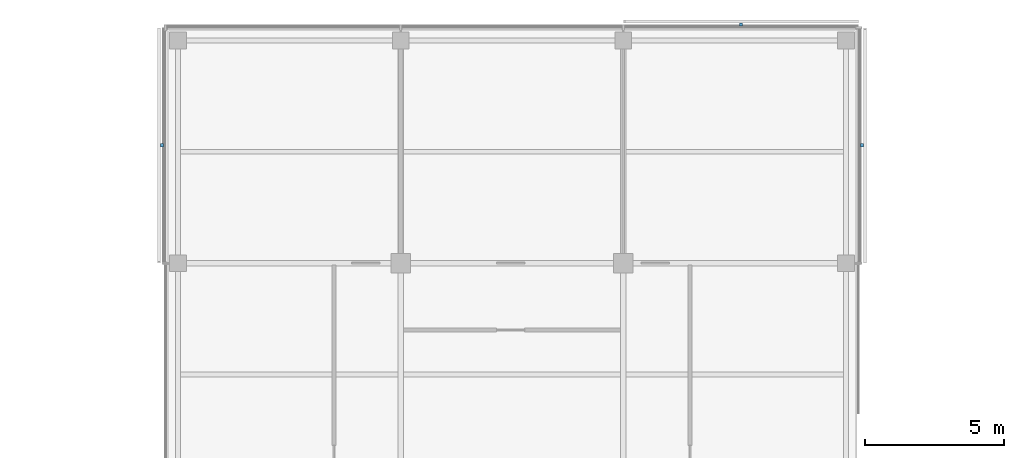
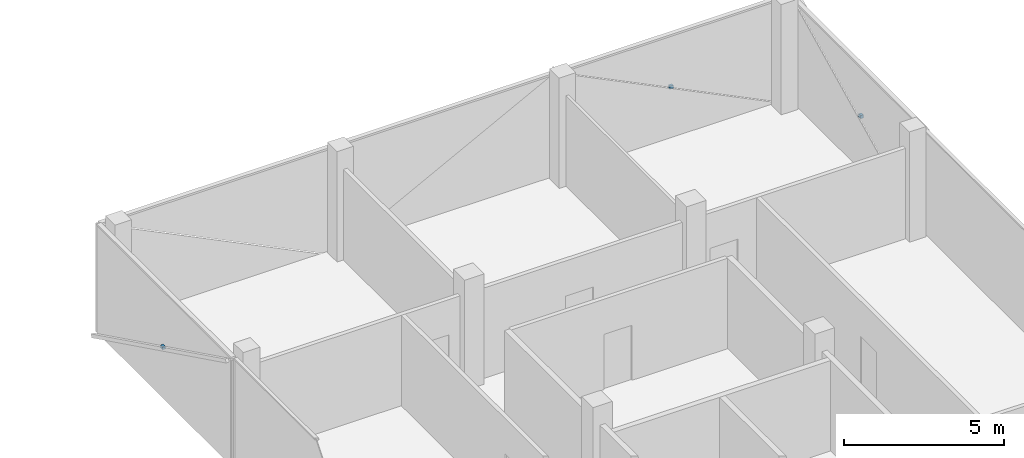
# One storey, part 15 of 16: 3 discrete accessories.
"""IFC4 building model written with IfcOpenShell, lengths in metres."""

from ifc_helpers import new_model, si_unit, direction, frame, origin, origin_2d, place, context, subcontext, project, spatial, rectangle, extrude, material, type_object, element, save


model = new_model("IFC4")

# Units and contexts
model_context = context("Model", 3, precision=1e-05, world=origin(), true_north=direction((0.0, 1.0)))
body_context = subcontext(model_context, "Body", "Model", "MODEL_VIEW")
ifc_project = project(units=[si_unit("LENGTHUNIT", "METRE"), si_unit("AREAUNIT", "SQUARE_METRE"), si_unit("VOLUMEUNIT", "CUBIC_METRE"), si_unit("PLANEANGLEUNIT", "RADIAN"), si_unit("MASSUNIT", "GRAM", prefix="KILO")], contexts=[model_context])

# Site, building, storey
site_placement = place(None, origin())
site = spatial("IfcSite", under=ifc_project, at=site_placement, CompositionType="ELEMENT")
building_placement = place(site_placement, origin())
building = spatial("IfcBuilding", under=site, at=building_placement, Name="Crosswind Convention Tower", CompositionType="ELEMENT")
storey_placement = place(building_placement, frame((0.0, 0.0, 282.89990234375)))
storey = spatial("IfcBuildingStorey", under=building, at=storey_placement, Name="L61", CompositionType="ELEMENT", Elevation=282.89990234375)

# Discrete accessories
ifc_material = material(Name="Stainless steel", Category="steel")
discrete_accessory_type = type_object("IfcDiscreteAccessoryType", Name="BAGUETTE BRACKET BK3", PredefinedType="BRACKET", material=ifc_material)
for number, where, z_axis, x_axis, name in (
    (1, (137.575927734375, 124.22998046875, 1.705078125), (0.0, 0.0, 1.0), (0.0, 1.0, 0.0), "BK3 baguette bracket"),
    (2, (133.22998046875, 128.575927734375, 1.705078125), (0.0, 0.0, 1.0), (-1.0, 0.0, 0.0), "BK3 baguette bracket"),
    (3, (112.424072265625, 124.22998046875, 1.705078125), (0.0, 0.0, 1.0), (0.0, -1.0, 0.0), "BK3 baguette bracket"),
):
    element("IfcDiscreteAccessory", number, at=place(storey_placement, frame(where, z_axis=z_axis, x_axis=x_axis)), inside=storey, type_object=discrete_accessory_type, Name=name, PredefinedType="BRACKET", context=body_context, shape_type="SweptSolid", body=[
        extrude(rectangle(XDim=0.1201171875, YDim=0.10009765625, at=origin_2d()), origin(), (0.0, 0.0, 1.0), 0.1201171875),
    ])

save(model, "model.ifc")
